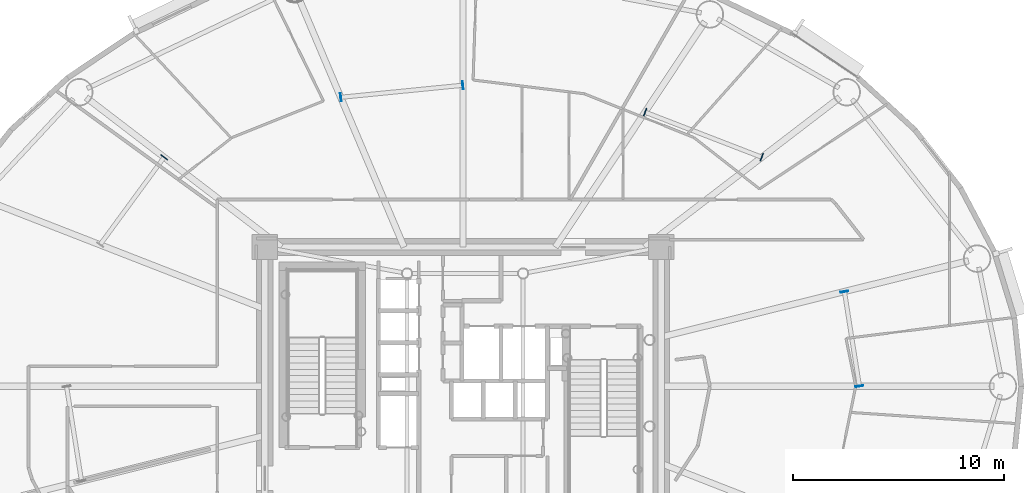
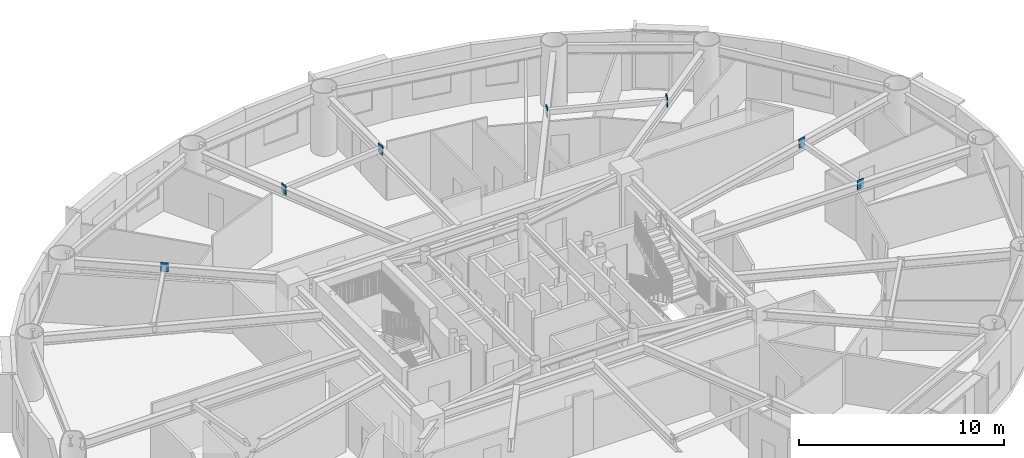
# One storey, part 7 of 19: 7 plates.
"""IFC4 building model written with IfcOpenShell, lengths in metres."""

import ifcopenshell
import ifcopenshell.guid

model = None  # the IFC model being written
_history = None  # IfcOwnerHistory: only IFC2X3 demands one
_inside = {}  # id of a spatial element -> (the spatial element, [elements in it])
_under = {}  # id of a project, library or spatial element -> (it, [spatial elements below it])
_declared = {}  # id of a project -> (the project, [libraries it declares])
_typed = {}  # id of a type object -> (the type object, [elements of that type])
_made_of = {}  # id of a material, layer set ... -> (it, [elements and type objects made of it])


def new_model(schema):
    """Start an empty IFC model of exactly this schema.

    Asked for "IFC4X3", IfcOpenShell would pick the latest addendum, in which some entities
    have other attributes; the version numbers below select the first issue.
    IFC2X3 requires an IfcOwnerHistory on every rooted entity: one is made here for all.
    """
    global model, _history
    if schema == "IFC4X3":
        model = ifcopenshell.file(schema_version=(4, 3, 0, 0))
    else:
        model = ifcopenshell.file(schema=schema)
    _inside.clear()
    _under.clear()
    _declared.clear()
    _typed.clear()
    _made_of.clear()
    _history = None
    if model.schema == "IFC2X3":
        org = make("IfcOrganization", Name="unknown")
        user = make(
            "IfcPersonAndOrganization",
            ThePerson=make("IfcPerson", FamilyName="unknown"),
            TheOrganization=org,
        )
        app = make(
            "IfcApplication",
            ApplicationDeveloper=org,
            Version="unknown",
            ApplicationFullName="unknown",
            ApplicationIdentifier="unknown",
        )
        _history = make(
            "IfcOwnerHistory",
            OwningUser=user,
            OwningApplication=app,
            ChangeAction="ADDED",
            CreationDate=0,
        )
    return model


def make(cls, **values):
    """One entity of the class cls with the attributes given. An attribute that is None is left unset."""
    return model.create_entity(
        cls, **{name: value for name, value in values.items() if value is not None}
    )


def rooted(cls, **values):
    """An entity with a GlobalId (a new one), such as an element, a storey or a relation."""
    return make(cls, GlobalId=ifcopenshell.guid.new(), OwnerHistory=_history, **values)


def si_unit(unit_type, name, prefix=None):
    """IfcSIUnit, for example si_unit("LENGTHUNIT", "METRE", prefix="MILLI")."""
    return make("IfcSIUnit", UnitType=unit_type, Prefix=prefix, Name=name)


def assignment(units):
    """IfcUnitAssignment: the units of a project."""
    return None if units is None else make("IfcUnitAssignment", Units=units)


def point(xyz):
    """IfcCartesianPoint."""
    return None if xyz is None else make("IfcCartesianPoint", Coordinates=xyz)


def direction(xyz):
    """IfcDirection."""
    return None if xyz is None else make("IfcDirection", DirectionRatios=xyz)


def frame(location, z_axis=None, x_axis=None):
    """IfcAxis2Placement3D, a coordinate frame: its origin and axes. An axis left out is left unset."""
    return make(
        "IfcAxis2Placement3D",
        Location=point(location),
        Axis=direction(z_axis),
        RefDirection=direction(x_axis),
    )


def frame_2d(location, x_axis=None):
    """IfcAxis2Placement2D, a coordinate frame in the plane: its origin and x axis."""
    return make(
        "IfcAxis2Placement2D", Location=point(location), RefDirection=direction(x_axis)
    )


def origin():
    """The frame at (0, 0, 0) with its axes left unset."""
    return frame((0.0, 0.0, 0.0))


def origin_2d():
    """The frame at (0, 0) in the plane with its x axis left unset."""
    return frame_2d((0.0, 0.0))


def place(relative_to, where):
    """IfcLocalPlacement: puts the frame where relative to a parent placement (None: the world)."""
    return make(
        "IfcLocalPlacement", PlacementRelTo=relative_to, RelativePlacement=where
    )


def context(
    kind, dimensions, precision=None, world=None, true_north=None, identifier=None
):
    """IfcGeometricRepresentationContext, for example the 3D "Model" context."""
    return make(
        "IfcGeometricRepresentationContext",
        ContextIdentifier=identifier,
        ContextType=kind,
        CoordinateSpaceDimension=dimensions,
        Precision=precision,
        WorldCoordinateSystem=world,
        TrueNorth=true_north,
    )


def subcontext(parent, identifier, kind, view, scale=None):
    """IfcGeometricRepresentationSubContext, for example "Body" below "Model"."""
    return make(
        "IfcGeometricRepresentationSubContext",
        ContextIdentifier=identifier,
        ContextType=kind,
        ParentContext=parent,
        TargetScale=scale,
        TargetView=view,
    )


def project(units=None, contexts=None):
    """IfcProject with its units and contexts."""
    return rooted(
        "IfcProject",
        Name="project",
        RepresentationContexts=contexts,
        UnitsInContext=assignment(units),
    )


def spatial(cls, under=None, at=None, **own):
    """A site, building, storey or space (cls), placed at a placement, below another one or the project."""
    s = rooted(cls, ObjectPlacement=at, **own)
    if under is not None:
        _under.setdefault(under.id(), (under, []))[1].append(s)
    return s


def profile(cls, at=None, kind="AREA", **sizes):
    """A parametric profile (cls). Its sizes go by their IFC names, for example OverallWidth=200.0."""
    return make(cls, ProfileType=kind, Position=at, **sizes)


def rectangle(**sizes):
    """IfcRectangleProfileDef."""
    return profile("IfcRectangleProfileDef", **sizes)


def extrude(swept, where, along, depth):
    """IfcExtrudedAreaSolid: the profile swept, set in the frame where, extruded along a direction by depth."""
    return make(
        "IfcExtrudedAreaSolid",
        SweptArea=swept,
        Position=where,
        ExtrudedDirection=direction(along),
        Depth=depth,
    )


def shape(context_of_items, identifier, shape_type, items):
    """IfcShapeRepresentation: the items that make up one representation, for example the "Body"."""
    return make(
        "IfcShapeRepresentation",
        ContextOfItems=context_of_items,
        RepresentationIdentifier=identifier,
        RepresentationType=shape_type,
        Items=items,
    )


def source(mapping_origin, context_of_items, identifier, shape_type, items):
    """IfcRepresentationMap: a shape defined once, which mapped items show again and again."""
    return make(
        "IfcRepresentationMap",
        MappingOrigin=mapping_origin,
        MappedRepresentation=shape(context_of_items, identifier, shape_type, items),
    )


def transform(
    local_origin,
    x_axis=None,
    y_axis=None,
    z_axis=None,
    scale=None,
    scale2=None,
    scale3=None,
    uniform=True,
):
    """IfcCartesianTransformationOperator3D, or its non-uniform kind. x_axis, y_axis, z_axis: its Axis1, 2, 3."""
    if uniform:
        return make(
            "IfcCartesianTransformationOperator3D",
            Axis1=direction(x_axis),
            Axis2=direction(y_axis),
            LocalOrigin=point(local_origin),
            Scale=scale,
            Axis3=direction(z_axis),
        )
    return make(
        "IfcCartesianTransformationOperator3DnonUniform",
        Axis1=direction(x_axis),
        Axis2=direction(y_axis),
        LocalOrigin=point(local_origin),
        Scale=scale,
        Axis3=direction(z_axis),
        Scale2=scale2,
        Scale3=scale3,
    )


def mapped(mapping_source, mapping_target):
    """IfcMappedItem: shows the shape of a source again, moved by a transform."""
    return make(
        "IfcMappedItem", MappingSource=mapping_source, MappingTarget=mapping_target
    )


def material(Name=None, Category=None):
    """IfcMaterial."""
    return make("IfcMaterial", Name=Name, Category=Category)


def layer(
    of_material, thickness, ventilated=None, Name=None, Category=None, Priority=None
):
    """IfcMaterialLayer: one layer of a wall or slab, of a material (None: an air gap)."""
    return make(
        "IfcMaterialLayer",
        Material=of_material,
        LayerThickness=thickness,
        IsVentilated=ventilated,
        Name=Name,
        Category=Category,
        Priority=Priority,
    )


def layer_set(layers, Name=None):
    """IfcMaterialLayerSet."""
    return make("IfcMaterialLayerSet", MaterialLayers=layers, LayerSetName=Name)


def made_of(thing, what):
    """Note that an element or type object is made of a material, layer set ...; save() writes the relation."""
    if what is not None:
        _made_of.setdefault(what.id(), (what, []))[1].append(thing)
    return thing


def type_object(cls, material=None, **own):
    """A type object (cls), such as IfcWallType, which elements share."""
    return made_of(rooted(cls, **own), material)


def element(
    cls,
    number,
    at=None,
    inside=None,
    cuts=None,
    type_object=None,
    material=None,
    context=None,
    identifier="Body",
    shape_type=None,
    held_by="IfcProductDefinitionShape",
    body=None,
    shapes=None,
    **own,
):
    """One element of the class cls, such as IfcWall. Its Tag is "e" and its number.

    at: its placement. inside: the storey or other place that contains it. cuts: it is an
    opening in that element (IfcRelVoidsElement). A single representation is given by context,
    identifier, shape_type and body (its items); several are given by shapes. held_by: the class
    of the entity that holds the representations. save() writes the other relations.
    """
    e = rooted(cls, Tag="e%d" % number, ObjectPlacement=at, **own)
    if body is not None:
        shapes = [shape(context, identifier, shape_type, body)]
    if shapes is not None:
        e.Representation = make(held_by, Representations=shapes)
    if inside is not None:
        _inside.setdefault(inside.id(), (inside, []))[1].append(e)
    if cuts is not None:
        rooted(
            "IfcRelVoidsElement", RelatingBuildingElement=cuts, RelatedOpeningElement=e
        )
    if type_object is not None:
        _typed.setdefault(type_object.id(), (type_object, []))[1].append(e)
    return made_of(e, material)


def aggregate(whole, parts):
    """IfcRelAggregates: a whole, such as a stair, and the parts it consists of."""
    return rooted("IfcRelAggregates", RelatingObject=whole, RelatedObjects=parts)


def save(model, path):
    """Write the relations noted so far, then the file.

    IfcRelAggregates (storeys below a building ...), IfcRelContainedInSpatialStructure (elements
    in a storey), IfcRelDefinesByType, IfcRelAssociatesMaterial and IfcRelDeclares: one each for
    every whole, place, type object, material and project.
    """
    for whole, parts in _under.values():
        aggregate(whole, parts)
    for where, things in _inside.values():
        rooted(
            "IfcRelContainedInSpatialStructure",
            RelatedElements=things,
            RelatingStructure=where,
        )
    for kind, things in _typed.values():
        rooted("IfcRelDefinesByType", RelatedObjects=things, RelatingType=kind)
    for what, things in _made_of.values():
        rooted("IfcRelAssociatesMaterial", RelatedObjects=things, RelatingMaterial=what)
    for by, libraries in _declared.values():
        rooted("IfcRelDeclares", RelatingContext=by, RelatedDefinitions=libraries)
    model.write(path)


model = new_model("IFC4")

# Units and contexts
model_context = context("Model", 3, precision=1e-05, world=origin(), true_north=direction((0.0, 1.0)))
body_context = subcontext(model_context, "Body", "Model", "MODEL_VIEW")
ifc_project = project(units=[si_unit("LENGTHUNIT", "METRE"), si_unit("AREAUNIT", "SQUARE_METRE"), si_unit("VOLUMEUNIT", "CUBIC_METRE"), si_unit("PLANEANGLEUNIT", "RADIAN"), si_unit("MASSUNIT", "GRAM", prefix="KILO")], contexts=[model_context])

# Site, building, storey
site_placement = place(None, origin())
site = spatial("IfcSite", under=ifc_project, at=site_placement, CompositionType="ELEMENT")
building_placement = place(site_placement, origin())
building = spatial("IfcBuilding", under=site, at=building_placement, Name="Linh Dai School and Residence Tower", CompositionType="ELEMENT")
storey_placement = place(building_placement, frame((0.0, 0.0, 193.64990234375)))
storey = spatial("IfcBuildingStorey", under=building, at=storey_placement, Name="L47", CompositionType="ELEMENT", Elevation=193.64990234375)

# Plates
ifc_material = material(Name="Structural Steel S355JR", Category="steel")
ifc_layer = layer(ifc_material, 0.0400390625)
ifc_layer_set = layer_set([ifc_layer], Name="Structural Steel S355JR")
plate_type = type_object("IfcPlateType", Name="PLT-GP1", PredefinedType="USERDEFINED", material=ifc_layer_set)
shared_shape = source(origin(), body_context, "Body", "SweptSolid", [
    extrude(rectangle(XDim=0.0400390625, YDim=0.3798828125, at=origin_2d()), origin(), (0.0, 0.0, 1.0), 0.5400390625),
])
for number, where, z_axis, x_axis, name in (
    (1, (54.795166015625, 27.0048828125, 3.080078125), (0.0, 0.0, 1.0), (-0.156309354655, 0.987708148011, 0.0), "L47 Secondary Beam End Plate 01A"),
    (2, (54.0859375, 31.486572265625, 3.080078125), (0.0, 0.0, 1.0), (-0.156309354655, 0.987708148011, 0.0), "L47 Secondary Beam End Plate 01B"),
    (3, (50.1640625, 37.860107421875, 3.080078125), (0.0, 0.0, 1.0), (-0.932822787929, 0.36033546359, 0.0), "L47 Secondary Beam End Plate 02A"),
    (4, (44.63427734375, 39.99609375, 3.080078125), (0.0, 0.0, 1.0), (-0.932822787929, 0.36033546359, 0.0), "L47 Secondary Beam End Plate 02B"),
    (5, (35.9951171875, 41.27294921875, 3.080078125), (0.0, 0.0, 1.0), (-0.995144649372, -0.098423202682, 0.0), "L47 Secondary Beam End Plate 03A"),
    (6, (30.20751953125, 40.700439453125, 3.080078125), (0.0, 0.0, 1.0), (-0.995144649372, -0.098423202682, 0.0), "L47 Secondary Beam End Plate 03B"),
    (7, (21.828125, 37.854248046875, 3.080078125), (0.0, 0.0, 1.0), (-0.590797317165, -0.806820010926, 0.0), "L47 Secondary Beam End Plate 04A"),
):
    element("IfcPlate", number, at=place(storey_placement, frame(where, z_axis=z_axis, x_axis=x_axis)), inside=storey, type_object=plate_type, Name=name, ObjectType="GUSSET PLATE", PredefinedType="USERDEFINED", context=body_context, shape_type="MappedRepresentation", body=[
        mapped(shared_shape, transform((0.0, 0.0, 0.0), x_axis=(1.0, 0.0, 0.0), y_axis=(0.0, 1.0, 0.0), z_axis=(0.0, 0.0, 1.0), scale=1.0)),
    ])

save(model, "model.ifc")
